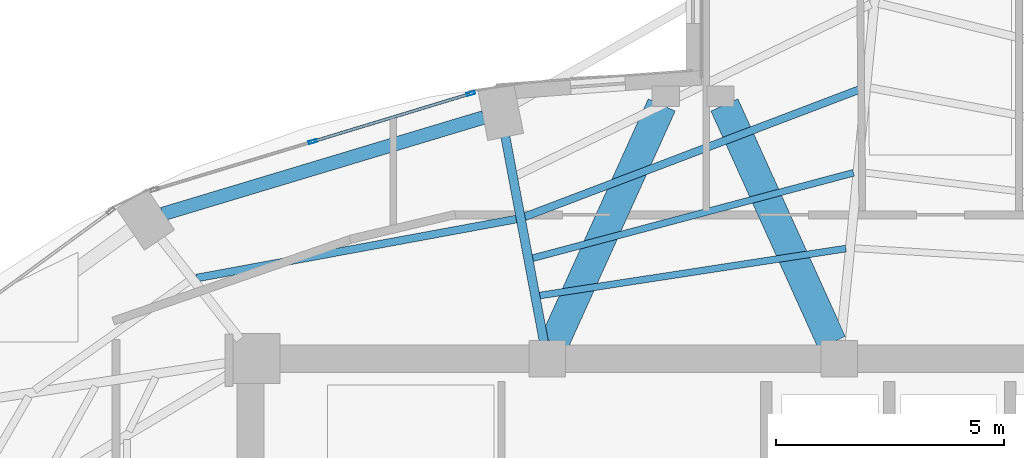
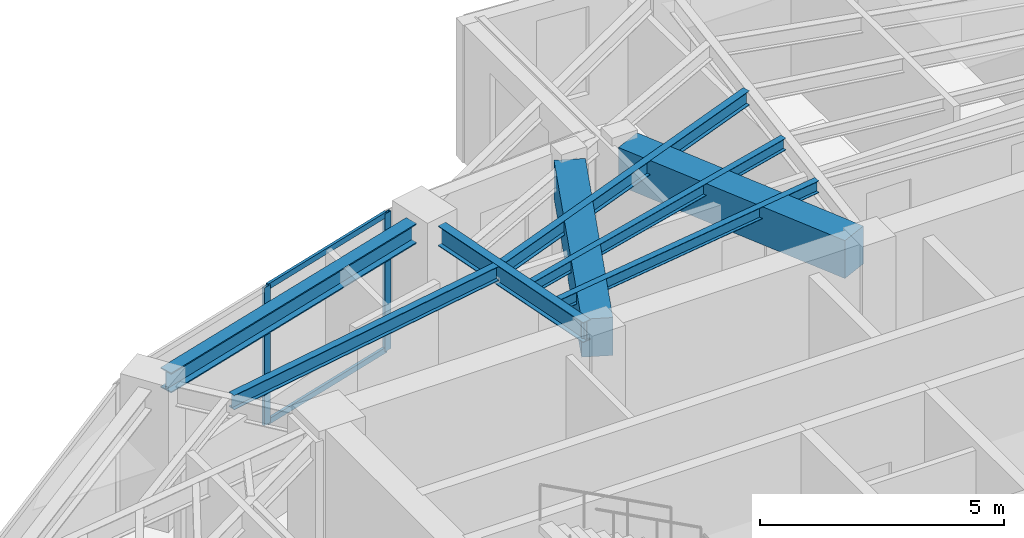
# One storey, part 10 of 22: 8 beams, 4 members, 1 element without a shape of its own.
"""IFC4 building model written with IfcOpenShell, lengths in metres."""

from ifc_helpers import new_model, si_unit, direction, frame, origin, origin_2d, place, context, subcontext, project, spatial, rectangle, hollow_rectangle, i_section, extrude, material, layer, layer_set, material_profile, profile_set, type_object, element, aggregate, save


model = new_model("IFC4")

# Units and contexts
model_context = context("Model", 3, precision=1e-05, world=origin(), true_north=direction((0.0, 1.0)))
body_context = subcontext(model_context, "Body", "Model", "MODEL_VIEW")
ifc_project = project(units=[si_unit("LENGTHUNIT", "METRE"), si_unit("AREAUNIT", "SQUARE_METRE"), si_unit("VOLUMEUNIT", "CUBIC_METRE"), si_unit("PLANEANGLEUNIT", "RADIAN"), si_unit("MASSUNIT", "GRAM", prefix="KILO")], contexts=[model_context])

# Site, building, storey
site_placement = place(None, origin())
site = spatial("IfcSite", under=ifc_project, at=site_placement, CompositionType="ELEMENT")
building_placement = place(site_placement, origin())
building = spatial("IfcBuilding", under=site, at=building_placement, Name="Lazwardi Medical Tower", CompositionType="ELEMENT")
storey_placement = place(building_placement, frame((0.0, 0.0, 224.01611328125)))
storey = spatial("IfcBuildingStorey", under=building, at=storey_placement, Name="L58", CompositionType="ELEMENT", Elevation=224.01611328125)

# Beams
ifc_material_1 = material(Name="Concrete C60/75", Category="concrete")
ifc_material_profile_1 = material_profile(ifc_material_1, rectangle(XDim=0.64990234375, YDim=0.949951171875, at=origin_2d()), Name="RC 650x950")
ifc_profile_set_1 = profile_set([ifc_material_profile_1], Name="Concrete C60/75")
beam_type_1 = type_object("IfcBeamType", Name="BM-CB-RC2", PredefinedType="LINTEL", material=ifc_profile_set_1)
for number, where, z_axis, x_axis, name in (
    (1, (32.95849609375, 35.95068359375, 2.972900390625), (0.412019279944, 0.911175127489, 0.0), (-0.911175127489, 0.412019279944, 0.0), "Core coupling lintel CB-02 PL1 L58"),
    (2, (39.04150390625, 35.95068359375, 2.972900390625), (-0.412019279944, 0.911175127489, 0.0), (-0.911175127489, -0.412019279944, 0.0), "Core coupling lintel CB-02 PL2 L58"),
):
    element("IfcBeam", number, at=place(storey_placement, frame(where, z_axis=z_axis, x_axis=x_axis)), inside=storey, type_object=beam_type_1, Name=name, PredefinedType="LINTEL", context=body_context, shape_type="SweptSolid", body=[
        extrude(rectangle(XDim=0.64990234375, YDim=0.949951171875, at=origin_2d()), origin(), (0.0, 0.0, 1.0), 5.7158203125),
    ])
ifc_material_2 = material(Name="Steel S355", Category="steel")
ifc_material_profile_2 = material_profile(ifc_material_2, i_section(OverallWidth=0.300048828125, OverallDepth=0.5, WebThickness=0.014404296875, FlangeThickness=0.028076171875, at=origin_2d()), Name="HEB 500")
ifc_profile_set_2 = profile_set([ifc_material_profile_2], Name="Steel S355")
beam_type_2 = type_object("IfcBeamType", Name="BM-RB-Z4", PredefinedType="BEAM", material=ifc_profile_set_2)
beam_1_placement = place(storey_placement, frame((31.41259765625, 40.885986328125, 3.197998046875), z_axis=(-0.957544311906, -0.288286126506, 0.0), x_axis=(0.288286126506, -0.957544311906, 0.0)))
element("IfcBeam", 3, at=beam_1_placement, inside=storey, type_object=beam_type_2, Name="Ring beam RB-05 B09 L58", PredefinedType="BEAM", context=body_context, shape_type="SweptSolid", body=[
    extrude(i_section(OverallWidth=0.300048828125, OverallDepth=0.5, WebThickness=0.014404296875, FlangeThickness=0.028076171875, at=origin_2d()), origin(), (0.0, 0.0, 1.0), 7.3515625),
])
ifc_material_profile_3 = material_profile(ifc_material_2, i_section(OverallWidth=0.199951171875, OverallDepth=0.5, WebThickness=0.01025390625, FlangeThickness=0.01611328125, at=origin_2d()), Name="IPE 500")
ifc_profile_set_3 = profile_set([ifc_material_profile_3], Name="Steel S355")
beam_type_3 = type_object("IfcBeamType", Name="BM-RG-W3", PredefinedType="BEAM", material=ifc_profile_set_3)
beam_2_placement = place(storey_placement, frame((31.884765625, 40.472412109375, 3.197998046875), z_axis=(0.184633463507, -0.982807450192, 0.0), x_axis=(0.982807450192, 0.184633463507, 0.0)))
element("IfcBeam", 4, at=beam_2_placement, inside=storey, type_object=beam_type_3, Name="Radial girder RG-04 R09 L58", PredefinedType="BEAM", context=body_context, shape_type="SweptSolid", body=[
    extrude(i_section(OverallWidth=0.199951171875, OverallDepth=0.5, WebThickness=0.01025390625, FlangeThickness=0.01611328125, at=origin_2d()), origin(), (0.0, 0.0, 1.0), 4.572509765625),
])
ifc_material_profile_4 = material_profile(ifc_material_2, i_section(OverallWidth=0.169921875, OverallDepth=0.360107421875, WebThickness=0.008056640625, FlangeThickness=0.0126953125, at=origin_2d()), Name="IPE 360")
ifc_profile_set_4 = profile_set([ifc_material_profile_4], Name="Steel S355")
beam_type_4 = type_object("IfcBeamType", Name="BM-SJ-02", PredefinedType="JOIST", material=ifc_profile_set_4)
beam_3_placement = place(storey_placement, frame((39.703125, 41.51904296875, 3.267822265625), z_axis=(-0.934714470268, -0.355399576633, 0.0), x_axis=(0.355399576633, -0.934714470268, 0.0)))
element("IfcBeam", 5, at=beam_3_placement, inside=storey, type_object=beam_type_4, Name="Secondary joist SJ-02 R2 B08 L58", PredefinedType="JOIST", context=body_context, shape_type="SweptSolid", body=[
    extrude(i_section(OverallWidth=0.169921875, OverallDepth=0.360107421875, WebThickness=0.008056640625, FlangeThickness=0.0126953125, at=origin_2d()), origin(), (0.0, 0.0, 1.0), 7.908203125),
])
beam_4_placement = place(storey_placement, frame((32.12890625, 38.65771484375, 3.267822265625), z_axis=(-0.983427965623, -0.181299300688, 0.0), x_axis=(0.181299300688, -0.983427965623, 0.0)))
element("IfcBeam", 6, at=beam_4_placement, inside=storey, type_object=beam_type_4, Name="Secondary joist SJ-02 R2 B09 L58", PredefinedType="JOIST", context=body_context, shape_type="SweptSolid", body=[
    extrude(i_section(OverallWidth=0.169921875, OverallDepth=0.360107421875, WebThickness=0.008056640625, FlangeThickness=0.0126953125, at=origin_2d()), origin(), (0.0, 0.0, 1.0), 7.127685546875),
])
ifc_material_profile_5 = material_profile(ifc_material_2, i_section(OverallWidth=0.14990234375, OverallDepth=0.300048828125, WebThickness=0.007080078125, FlangeThickness=0.0107421875, at=origin_2d()), Name="IPE 300")
ifc_profile_set_5 = profile_set([ifc_material_profile_5], Name="Steel S355")
beam_type_5 = type_object("IfcBeamType", Name="BM-SJ-03", PredefinedType="JOIST", material=ifc_profile_set_5)
beam_5_placement = place(storey_placement, frame((39.515380859375, 39.671875, 3.2978515625), z_axis=(-0.966369007826, -0.257159368316, 0.0), x_axis=(0.257159368316, -0.966369007826, 0.0)))
element("IfcBeam", 7, at=beam_5_placement, inside=storey, type_object=beam_type_5, Name="Secondary joist SJ-03 R3 B08 L58", PredefinedType="JOIST", context=body_context, shape_type="SweptSolid", body=[
    extrude(i_section(OverallWidth=0.14990234375, OverallDepth=0.300048828125, WebThickness=0.007080078125, FlangeThickness=0.0107421875, at=origin_2d()), origin(), (0.0, 0.0, 1.0), 7.27685546875),
])
beam_6_placement = place(storey_placement, frame((39.347412109375, 38.010986328125, 3.2978515625), z_axis=(-0.988433562862, -0.151654514629, 0.0), x_axis=(0.151654514629, -0.988433562862, 0.0)))
element("IfcBeam", 8, at=beam_6_placement, inside=storey, type_object=beam_type_5, Name="Secondary joist SJ-03 R4 B08 L58", PredefinedType="JOIST", context=body_context, shape_type="SweptSolid", body=[
    extrude(i_section(OverallWidth=0.14990234375, OverallDepth=0.300048828125, WebThickness=0.007080078125, FlangeThickness=0.0107421875, at=origin_2d()), origin(), (0.0, 0.0, 1.0), 6.788818359375),
])

# Curtain wall, members
ifc_material_3 = material(Name="Anodised bronze aluminium and solar control glazing", Category="aluminium")
ifc_layer = layer(ifc_material_3, 0.18994140625)
ifc_layer_set = layer_set([ifc_layer], Name="Anodised bronze aluminium and solar control glazing")
curtain_wall_type = type_object("IfcCurtainWallType", Name="CW-SYS-04", PredefinedType="NOTDEFINED", material=ifc_layer_set)
curtain_wall_placement = place(storey_placement, origin())
curtain_wall = element("IfcCurtainWall", 9, at=curtain_wall_placement, inside=storey, type_object=curtain_wall_type, Name="L58 Unitised bronze curtain wall CW-04", PredefinedType="NOTDEFINED")
ifc_material_4 = material(Name="Anodised bronze aluminium", Category="aluminium")
ifc_material_profile_6 = material_profile(ifc_material_4, hollow_rectangle(XDim=0.06494140625, YDim=0.179931640625, WallThickness=0.00390625, at=origin_2d()), Name="ALU-MULLION 180x65x4")
ifc_profile_set_6 = profile_set([ifc_material_profile_6], Name="Anodised bronze aluminium")
member_type_1 = type_object("IfcMemberType", Name="CW-MUL-03", PredefinedType="MULLION", material=ifc_profile_set_6)
member_1_placement = place(storey_placement, frame((31.126953125, 41.406982421875, 0.0), z_axis=(0.0, 0.0, 1.0), x_axis=(0.290581889515, -0.956850126972, 0.0)))
member_1 = element("IfcMember", 10, at=member_1_placement, type_object=member_type_1, Name="CW-04 mullion 1", PredefinedType="MULLION", context=body_context, shape_type="SweptSolid", body=[
    extrude(hollow_rectangle(XDim=0.06494140625, YDim=0.179931640625, WallThickness=0.00390625, at=origin_2d()), origin(), (0.0, 0.0, 1.0), 3.447998046875),
])
member_2_placement = place(storey_placement, frame((27.66357421875, 40.355224609375, 0.0), z_axis=(0.0, 0.0, 1.0), x_axis=(0.290581889515, -0.956850126972, 0.0)))
member_2 = element("IfcMember", 11, at=member_2_placement, type_object=member_type_1, Name="CW-04 mullion 2", PredefinedType="MULLION", context=body_context, shape_type="SweptSolid", body=[
    extrude(hollow_rectangle(XDim=0.06494140625, YDim=0.179931640625, WallThickness=0.00390625, at=origin_2d()), origin(), (0.0, 0.0, 1.0), 3.447998046875),
])
ifc_material_profile_7 = material_profile(ifc_material_4, hollow_rectangle(XDim=0.06494140625, YDim=0.139892578125, WallThickness=0.00341796875, at=origin_2d()), Name="ALU-TRANSOM 140x65x3.5")
ifc_profile_set_7 = profile_set([ifc_material_profile_7], Name="Anodised bronze aluminium")
member_type_2 = type_object("IfcMemberType", Name="CW-TRN-03", PredefinedType="USERDEFINED", material=ifc_profile_set_7)
member_3_placement = place(storey_placement, frame((31.095703125, 41.397705078125, 0.032470703125), z_axis=(-0.956843409009, -0.290604010015, 0.0), x_axis=(0.290604010015, -0.956843409009, 0.0)))
member_3 = element("IfcMember", 12, at=member_3_placement, type_object=member_type_2, Name="CW-04 transom 1.1", ObjectType="TRANSOM", PredefinedType="USERDEFINED", context=body_context, shape_type="SweptSolid", body=[
    extrude(hollow_rectangle(XDim=0.06494140625, YDim=0.139892578125, WallThickness=0.00341796875, at=origin_2d()), origin(), (0.0, 0.0, 1.0), 3.554443359375),
])
member_4_placement = place(storey_placement, frame((31.095703125, 41.397705078125, 3.415283203125), z_axis=(-0.956843409009, -0.290604010015, 0.0), x_axis=(0.290604010015, -0.956843409009, 0.0)))
member_4 = element("IfcMember", 13, at=member_4_placement, type_object=member_type_2, Name="CW-04 transom 1.2", ObjectType="TRANSOM", PredefinedType="USERDEFINED", context=body_context, shape_type="SweptSolid", body=[
    extrude(hollow_rectangle(XDim=0.06494140625, YDim=0.139892578125, WallThickness=0.00341796875, at=origin_2d()), origin(), (0.0, 0.0, 1.0), 3.554443359375),
])
aggregate(curtain_wall, [member_1, member_2, member_3, member_4])

save(model, "model.ifc")
